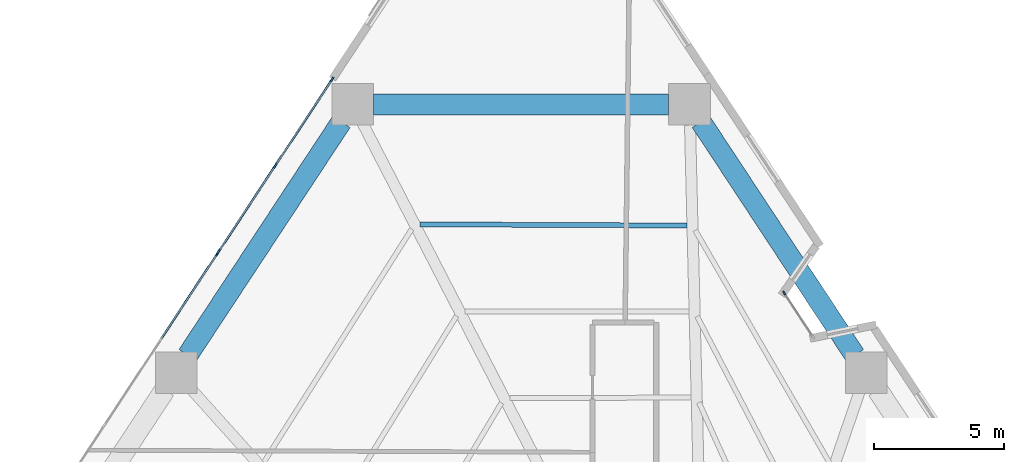
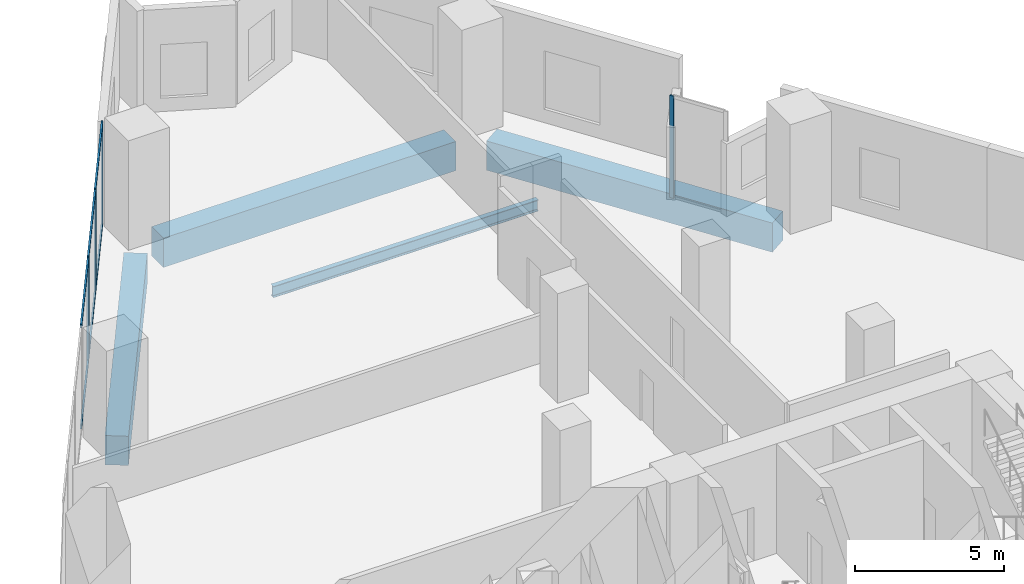
# One storey, part 5 of 11: 11 members, 4 beams, 3 elements without a shape of their own.
"""IFC4 building model written with IfcOpenShell, lengths in metres."""

from ifc_helpers import new_model, si_unit, direction, frame, origin, origin_2d, place, context, subcontext, project, spatial, rectangle, i_section, extrude, material, layer, layer_set, material_profile, profile_set, type_object, element, aggregate, save


model = new_model("IFC4")

# Units and contexts
model_context = context("Model", 3, precision=1e-05, world=origin(), true_north=direction((0.0, 1.0)))
body_context = subcontext(model_context, "Body", "Model", "MODEL_VIEW")
ifc_project = project(units=[si_unit("LENGTHUNIT", "METRE"), si_unit("AREAUNIT", "SQUARE_METRE"), si_unit("VOLUMEUNIT", "CUBIC_METRE"), si_unit("PLANEANGLEUNIT", "RADIAN"), si_unit("MASSUNIT", "GRAM", prefix="KILO")], contexts=[model_context])

# Site, building, storey
site_placement = place(None, origin())
site = spatial("IfcSite", under=ifc_project, at=site_placement, CompositionType="ELEMENT")
building_placement = place(site_placement, origin())
building = spatial("IfcBuilding", under=site, at=building_placement, Name="Almagre Mirador Tower", CompositionType="ELEMENT")
storey_placement = place(building_placement, frame((0.0, 0.0, 21.89990234375)))
storey = spatial("IfcBuildingStorey", under=building, at=storey_placement, Name="L04", CompositionType="ELEMENT", Elevation=21.89990234375)

# Beams
ifc_material_1 = material(Name="Steel ASTM A992 Grade 50", Category="steel")
ifc_material_profile_1 = material_profile(ifc_material_1, i_section(OverallWidth=0.19091796875, OverallDepth=0.4599609375, WebThickness=0.010009765625, FlangeThickness=0.01611328125, FilletRadius=0.01611328125, at=origin_2d()), Name="W18X55")
ifc_profile_set_1 = profile_set([ifc_material_profile_1], Name="Steel ASTM A992 Grade 50")
beam_type_1 = type_object("IfcBeamType", Name="BM-JST-W18X55", PredefinedType="JOIST", material=ifc_profile_set_1)
beam_1_placement = place(storey_placement, frame((42.380126953125, 36.728271484375, -0.52978515625), z_axis=(-0.99999104287, 0.004232514698, 0.0), x_axis=(-0.004232514698, -0.99999104287, 0.0)))
element("IfcBeam", 1, at=beam_1_placement, inside=storey, type_object=beam_type_1, Name="L04 secondary floor joist PC08-PC09.1", PredefinedType="JOIST", context=body_context, shape_type="SweptSolid", body=[
    extrude(i_section(OverallWidth=0.19091796875, OverallDepth=0.4599609375, WebThickness=0.010009765625, FlangeThickness=0.01611328125, FilletRadius=0.01611328125, at=origin_2d()), origin(), (0.0, 0.0, 1.0), 10.267333984375),
])
ifc_material_2 = material(Name="Precast concrete C50/60", Category="concrete")
ifc_material_profile_2 = material_profile(ifc_material_2, rectangle(XDim=0.800048828125, YDim=1.199951171875, at=origin_2d()), Name="RC800X1200")
ifc_profile_set_2 = profile_set([ifc_material_profile_2], Name="Precast concrete C50/60")
beam_type_2 = type_object("IfcBeamType", Name="BM-SPN-RC800X1200", PredefinedType="SPANDREL", material=ifc_profile_set_2)
beam_2_placement = place(storey_placement, frame((48.837890625, 31.736083984375, -0.89990234375), z_axis=(-0.550214843465, 0.835023129039, 0.0), x_axis=(-0.835023129039, -0.550214843465, 0.0)))
element("IfcBeam", 2, at=beam_2_placement, inside=storey, type_object=beam_type_2, Name="L04 perimeter spandrel beam PC07-PC08", PredefinedType="SPANDREL", context=body_context, shape_type="SweptSolid", body=[
    extrude(rectangle(XDim=0.800048828125, YDim=1.199951171875, at=origin_2d()), origin(), (0.0, 0.0, 1.0), 10.7587890625),
])
beam_3_placement = place(storey_placement, frame((41.677978515625, 41.387939453125, -0.89990234375), z_axis=(-1.0, 0.0, 0.0), x_axis=(0.0, -1.0, 0.0)))
element("IfcBeam", 3, at=beam_3_placement, inside=storey, type_object=beam_type_2, Name="L04 perimeter spandrel beam PC08-PC09", PredefinedType="SPANDREL", context=body_context, shape_type="SweptSolid", body=[
    extrude(rectangle(XDim=0.800048828125, YDim=1.199951171875, at=origin_2d()), origin(), (0.0, 0.0, 1.0), 11.35595703125),
])
beam_4_placement = place(storey_placement, frame((29.081787109375, 40.719970703125, -0.89990234375), z_axis=(-0.550214843465, -0.835023129039, 0.0), x_axis=(0.835023129039, -0.550214843465, 0.0)))
element("IfcBeam", 4, at=beam_4_placement, inside=storey, type_object=beam_type_2, Name="L04 perimeter spandrel beam PC09-PC10", PredefinedType="SPANDREL", context=body_context, shape_type="SweptSolid", body=[
    extrude(rectangle(XDim=0.800048828125, YDim=1.199951171875, at=origin_2d()), origin(), (0.0, 0.0, 1.0), 10.7587890625),
])

# Curtain wall, member
ifc_material_3 = material(Name="Black anodized aluminium", Category="aluminium")
ifc_layer_1 = layer(ifc_material_3, 0.169921875)
ifc_layer_set_1 = layer_set([ifc_layer_1], Name="Black anodized aluminium")
curtain_wall_type_1 = type_object("IfcCurtainWallType", Name="CW-CRS-SYS", PredefinedType="NOTDEFINED", material=ifc_layer_set_1)
curtain_wall_1_placement = place(storey_placement, origin())
curtain_wall_1 = element("IfcCurtainWall", 5, at=curtain_wall_1_placement, inside=storey, type_object=curtain_wall_type_1, Name="L04 vertical crease curtain wall 05", PredefinedType="NOTDEFINED")
ifc_material_4 = material(Name="Black anodized aluminium", Category="aluminium")
ifc_material_profile_3 = material_profile(ifc_material_4, rectangle(XDim=0.06005859375, YDim=0.14990234375, at=origin_2d()), Name="CWM60X150")
ifc_profile_set_3 = profile_set([ifc_material_profile_3], Name="Black anodized aluminium")
member_type_1 = type_object("IfcMemberType", Name="MBR-CWM60X150", PredefinedType="MULLION", material=ifc_profile_set_3)
member_1_placement = place(storey_placement, frame((46.12158203125, 34.130859375, 0.0), z_axis=(0.0, 0.0, 1.0), x_axis=(0.83498318847, 0.550275453725, 0.0)))
member_1 = element("IfcMember", 6, at=member_1_placement, type_object=member_type_1, Name="CW-4 mullion 1", PredefinedType="MULLION", context=body_context, shape_type="SweptSolid", body=[
    extrude(rectangle(XDim=0.06005859375, YDim=0.14990234375, at=origin_2d()), origin(), (0.0, 0.0, 1.0), 4.2001953125),
])
aggregate(curtain_wall_1, [member_1])

ifc_material_5 = material(Name="Black anodized aluminium", Category="aluminium")
ifc_layer_2 = layer(ifc_material_5, 0.219970703125)
ifc_layer_set_2 = layer_set([ifc_layer_2], Name="Black anodized aluminium")
curtain_wall_type_2 = type_object("IfcCurtainWallType", Name="CW-POD-SYS", PredefinedType="NOTDEFINED", material=ifc_layer_set_2)
curtain_wall_2_placement = place(storey_placement, origin())
curtain_wall_2 = element("IfcCurtainWall", 7, at=curtain_wall_2_placement, inside=storey, type_object=curtain_wall_type_2, Name="L04 curtain wall run 03", PredefinedType="NOTDEFINED")
ifc_material_6 = material(Name="Black anodized aluminium", Category="aluminium")
ifc_material_profile_4 = material_profile(ifc_material_6, rectangle(XDim=0.070068359375, YDim=0.2099609375, at=origin_2d()), Name="CWM70X210")
ifc_profile_set_4 = profile_set([ifc_material_profile_4], Name="Black anodized aluminium")
member_type_2 = type_object("IfcMemberType", Name="MBR-CWM70X210", PredefinedType="MULLION", material=ifc_profile_set_4)
member_2_placement = place(storey_placement, frame((24.310791015625, 35.65966796875, 0.0), z_axis=(0.0, 0.0, 1.0), x_axis=(-0.835026685891, 0.550209445439, 0.0)))
member_2 = element("IfcMember", 8, at=member_2_placement, type_object=member_type_2, Name="CW-1 mullion 3", PredefinedType="MULLION", context=body_context, shape_type="SweptSolid", body=[
    extrude(rectangle(XDim=0.070068359375, YDim=0.2099609375, at=origin_2d()), origin(), (0.0, 0.0, 1.0), 4.2001953125),
])

# Curtain wall, members
curtain_wall_3_placement = place(storey_placement, origin())
curtain_wall_3 = element("IfcCurtainWall", 9, at=curtain_wall_3_placement, inside=storey, type_object=curtain_wall_type_2, Name="L04 curtain wall run 04", PredefinedType="NOTDEFINED")
member_3_placement = place(storey_placement, frame((24.349365234375, 35.71826171875, 0.0), z_axis=(0.0, 0.0, 1.0), x_axis=(-0.835026685891, 0.550209445439, 0.0)))
member_3 = element("IfcMember", 10, at=member_3_placement, type_object=member_type_2, Name="CW-1 mullion 1", PredefinedType="MULLION", context=body_context, shape_type="SweptSolid", body=[
    extrude(rectangle(XDim=0.070068359375, YDim=0.2099609375, at=origin_2d()), origin(), (0.0, 0.0, 1.0), 4.2001953125),
])
member_4_placement = place(storey_placement, frame((26.5322265625, 39.03125, 0.0), z_axis=(0.0, 0.0, 1.0), x_axis=(-0.835026685891, 0.550209445439, 0.0)))
member_4 = element("IfcMember", 11, at=member_4_placement, type_object=member_type_2, Name="CW-1 mullion 2", PredefinedType="MULLION", context=body_context, shape_type="SweptSolid", body=[
    extrude(rectangle(XDim=0.070068359375, YDim=0.2099609375, at=origin_2d()), origin(), (0.0, 0.0, 1.0), 4.2001953125),
])
member_5_placement = place(storey_placement, frame((28.71533203125, 42.34423828125, 0.0), z_axis=(0.0, 0.0, 1.0), x_axis=(-0.835026685891, 0.550209445439, 0.0)))
member_5 = element("IfcMember", 12, at=member_5_placement, type_object=member_type_2, Name="CW-1 mullion 3", PredefinedType="MULLION", context=body_context, shape_type="SweptSolid", body=[
    extrude(rectangle(XDim=0.070068359375, YDim=0.2099609375, at=origin_2d()), origin(), (0.0, 0.0, 1.0), 4.2001953125),
])

# Member
ifc_material_7 = material(Name="Black anodized aluminium", Category="aluminium")
ifc_material_profile_5 = material_profile(ifc_material_7, rectangle(XDim=0.06494140625, YDim=0.14990234375, at=origin_2d()), Name="CWT65X150")
ifc_profile_set_5 = profile_set([ifc_material_profile_5], Name="Black anodized aluminium")
member_type_3 = type_object("IfcMemberType", Name="MBR-CWT65X150", PredefinedType="USERDEFINED", material=ifc_profile_set_5)
member_6_placement = place(storey_placement, frame((22.14697265625, 32.3759765625, 0.03271484375), z_axis=(0.550211134434, 0.835025572989, 0.0), x_axis=(-0.835025572989, 0.550211134434, 0.0)))
member_6 = element("IfcMember", 13, at=member_6_placement, type_object=member_type_3, Name="CW-1 transom 2.1", ObjectType="TRANSOM", PredefinedType="USERDEFINED", context=body_context, shape_type="SweptSolid", body=[
    extrude(rectangle(XDim=0.06494140625, YDim=0.14990234375, at=origin_2d()), origin(), (0.0, 0.0, 1.0), 3.897705078125),
])

member_7_placement = place(storey_placement, frame((22.14697265625, 32.3759765625, 4.16748046875), z_axis=(0.550211134434, 0.835025572989, 0.0), x_axis=(-0.835025572989, 0.550211134434, 0.0)))
member_7 = element("IfcMember", 14, at=member_7_placement, type_object=member_type_3, Name="CW-1 transom 2.2", ObjectType="TRANSOM", PredefinedType="USERDEFINED", context=body_context, shape_type="SweptSolid", body=[
    extrude(rectangle(XDim=0.06494140625, YDim=0.14990234375, at=origin_2d()), origin(), (0.0, 0.0, 1.0), 3.897705078125),
])

aggregate(curtain_wall_2, [member_2, member_6, member_7])

member_8_placement = place(storey_placement, frame((24.368408203125, 35.74755859375, 0.03271484375), z_axis=(0.550239913983, 0.835006608992, 0.0), x_axis=(-0.835006608992, 0.550239913983, 0.0)))
member_8 = element("IfcMember", 15, at=member_8_placement, type_object=member_type_3, Name="CW-1 transom 1.1", ObjectType="TRANSOM", PredefinedType="USERDEFINED", context=body_context, shape_type="SweptSolid", body=[
    extrude(rectangle(XDim=0.06494140625, YDim=0.14990234375, at=origin_2d()), origin(), (0.0, 0.0, 1.0), 3.8974609375),
])

member_9_placement = place(storey_placement, frame((24.368408203125, 35.74755859375, 4.16748046875), z_axis=(0.550239913983, 0.835006608992, 0.0), x_axis=(-0.835006608992, 0.550239913983, 0.0)))
member_9 = element("IfcMember", 16, at=member_9_placement, type_object=member_type_3, Name="CW-1 transom 1.2", ObjectType="TRANSOM", PredefinedType="USERDEFINED", context=body_context, shape_type="SweptSolid", body=[
    extrude(rectangle(XDim=0.06494140625, YDim=0.14990234375, at=origin_2d()), origin(), (0.0, 0.0, 1.0), 3.8974609375),
])

member_10_placement = place(storey_placement, frame((26.551513671875, 39.060546875, 0.03271484375), z_axis=(0.550239913983, 0.835006608992, 0.0), x_axis=(-0.835006608992, 0.550239913983, 0.0)))
member_10 = element("IfcMember", 17, at=member_10_placement, type_object=member_type_3, Name="CW-1 transom 2.1", ObjectType="TRANSOM", PredefinedType="USERDEFINED", context=body_context, shape_type="SweptSolid", body=[
    extrude(rectangle(XDim=0.06494140625, YDim=0.14990234375, at=origin_2d()), origin(), (0.0, 0.0, 1.0), 3.8974609375),
])

member_11_placement = place(storey_placement, frame((26.551513671875, 39.060546875, 4.16748046875), z_axis=(0.550239913983, 0.835006608992, 0.0), x_axis=(-0.835006608992, 0.550239913983, 0.0)))
member_11 = element("IfcMember", 18, at=member_11_placement, type_object=member_type_3, Name="CW-1 transom 2.2", ObjectType="TRANSOM", PredefinedType="USERDEFINED", context=body_context, shape_type="SweptSolid", body=[
    extrude(rectangle(XDim=0.06494140625, YDim=0.14990234375, at=origin_2d()), origin(), (0.0, 0.0, 1.0), 3.8974609375),
])

aggregate(curtain_wall_3, [member_3, member_4, member_5, member_8, member_9, member_10, member_11])

save(model, "model.ifc")
